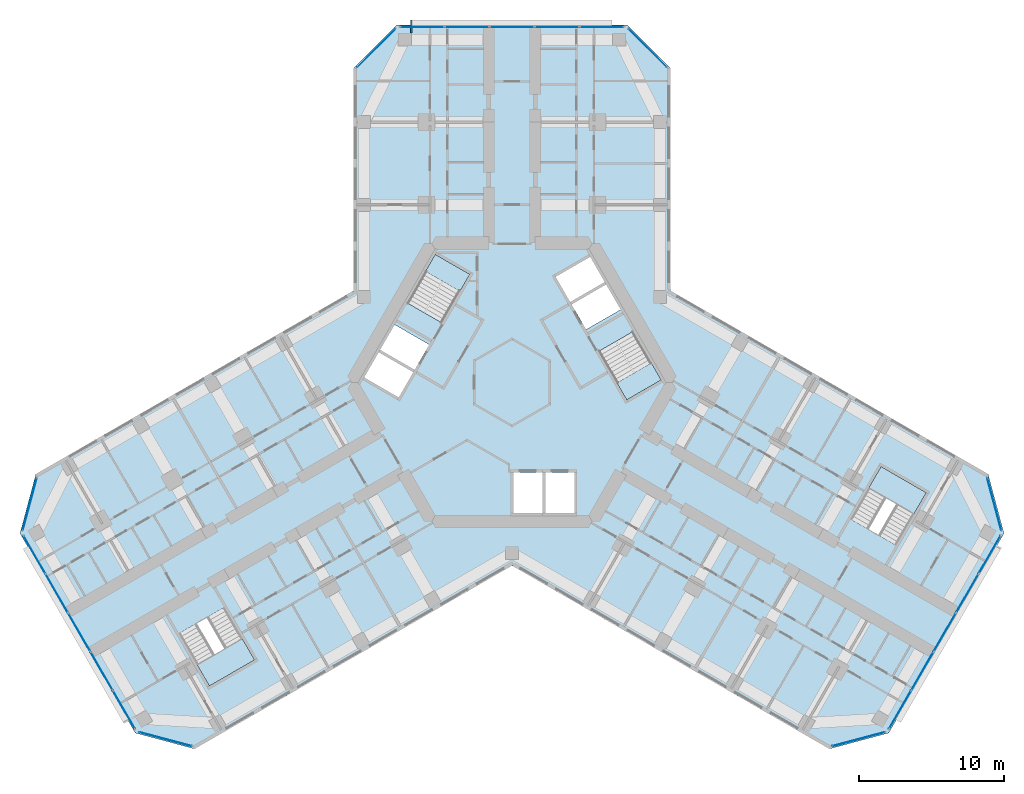
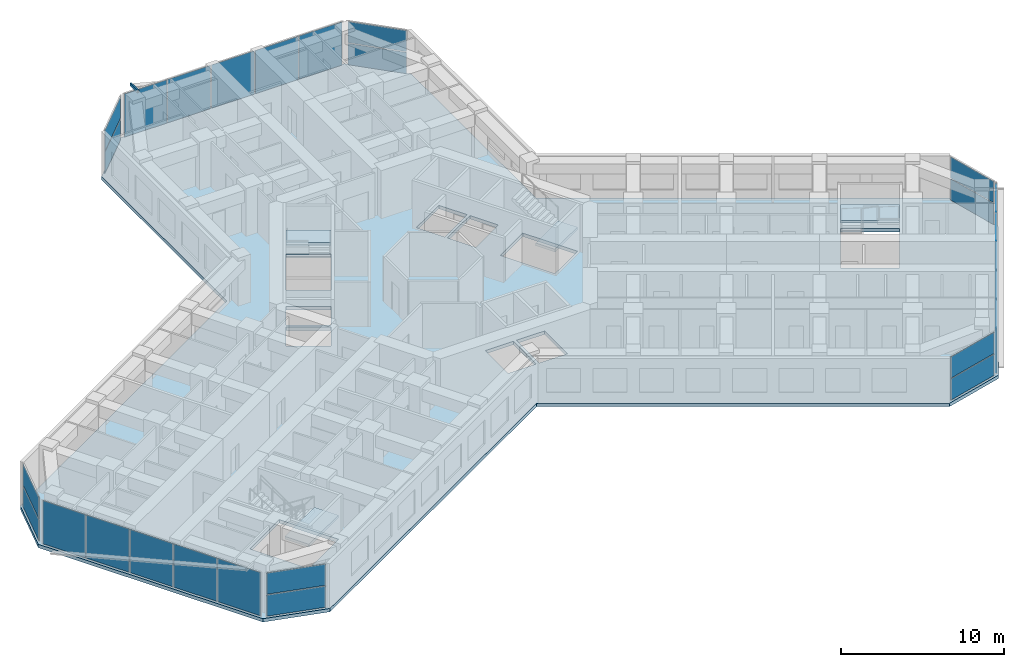
# One storey, part 9 of 20: 27 plates, 5 slabs, 1 member, 13 elements without a shape of their own.
"""IFC4 building model written with IfcOpenShell, lengths in metres."""

import ifcopenshell
import ifcopenshell.guid

model = None  # the IFC model being written
_history = None  # IfcOwnerHistory: only IFC2X3 demands one
_inside = {}  # id of a spatial element -> (the spatial element, [elements in it])
_under = {}  # id of a project, library or spatial element -> (it, [spatial elements below it])
_declared = {}  # id of a project -> (the project, [libraries it declares])
_typed = {}  # id of a type object -> (the type object, [elements of that type])
_made_of = {}  # id of a material, layer set ... -> (it, [elements and type objects made of it])


def new_model(schema):
    """Start an empty IFC model of exactly this schema.

    Asked for "IFC4X3", IfcOpenShell would pick the latest addendum, in which some entities
    have other attributes; the version numbers below select the first issue.
    IFC2X3 requires an IfcOwnerHistory on every rooted entity: one is made here for all.
    """
    global model, _history
    if schema == "IFC4X3":
        model = ifcopenshell.file(schema_version=(4, 3, 0, 0))
    else:
        model = ifcopenshell.file(schema=schema)
    _inside.clear()
    _under.clear()
    _declared.clear()
    _typed.clear()
    _made_of.clear()
    _history = None
    if model.schema == "IFC2X3":
        org = make("IfcOrganization", Name="unknown")
        user = make(
            "IfcPersonAndOrganization",
            ThePerson=make("IfcPerson", FamilyName="unknown"),
            TheOrganization=org,
        )
        app = make(
            "IfcApplication",
            ApplicationDeveloper=org,
            Version="unknown",
            ApplicationFullName="unknown",
            ApplicationIdentifier="unknown",
        )
        _history = make(
            "IfcOwnerHistory",
            OwningUser=user,
            OwningApplication=app,
            ChangeAction="ADDED",
            CreationDate=0,
        )
    return model


def make(cls, **values):
    """One entity of the class cls with the attributes given. An attribute that is None is left unset."""
    return model.create_entity(
        cls, **{name: value for name, value in values.items() if value is not None}
    )


def rooted(cls, **values):
    """An entity with a GlobalId (a new one), such as an element, a storey or a relation."""
    return make(cls, GlobalId=ifcopenshell.guid.new(), OwnerHistory=_history, **values)


def si_unit(unit_type, name, prefix=None):
    """IfcSIUnit, for example si_unit("LENGTHUNIT", "METRE", prefix="MILLI")."""
    return make("IfcSIUnit", UnitType=unit_type, Prefix=prefix, Name=name)


def assignment(units):
    """IfcUnitAssignment: the units of a project."""
    return None if units is None else make("IfcUnitAssignment", Units=units)


def point(xyz):
    """IfcCartesianPoint."""
    return None if xyz is None else make("IfcCartesianPoint", Coordinates=xyz)


def direction(xyz):
    """IfcDirection."""
    return None if xyz is None else make("IfcDirection", DirectionRatios=xyz)


def frame(location, z_axis=None, x_axis=None):
    """IfcAxis2Placement3D, a coordinate frame: its origin and axes. An axis left out is left unset."""
    return make(
        "IfcAxis2Placement3D",
        Location=point(location),
        Axis=direction(z_axis),
        RefDirection=direction(x_axis),
    )


def frame_2d(location, x_axis=None):
    """IfcAxis2Placement2D, a coordinate frame in the plane: its origin and x axis."""
    return make(
        "IfcAxis2Placement2D", Location=point(location), RefDirection=direction(x_axis)
    )


def origin():
    """The frame at (0, 0, 0) with its axes left unset."""
    return frame((0.0, 0.0, 0.0))


def origin_2d():
    """The frame at (0, 0) in the plane with its x axis left unset."""
    return frame_2d((0.0, 0.0))


def place(relative_to, where):
    """IfcLocalPlacement: puts the frame where relative to a parent placement (None: the world)."""
    return make(
        "IfcLocalPlacement", PlacementRelTo=relative_to, RelativePlacement=where
    )


def context(
    kind, dimensions, precision=None, world=None, true_north=None, identifier=None
):
    """IfcGeometricRepresentationContext, for example the 3D "Model" context."""
    return make(
        "IfcGeometricRepresentationContext",
        ContextIdentifier=identifier,
        ContextType=kind,
        CoordinateSpaceDimension=dimensions,
        Precision=precision,
        WorldCoordinateSystem=world,
        TrueNorth=true_north,
    )


def subcontext(parent, identifier, kind, view, scale=None):
    """IfcGeometricRepresentationSubContext, for example "Body" below "Model"."""
    return make(
        "IfcGeometricRepresentationSubContext",
        ContextIdentifier=identifier,
        ContextType=kind,
        ParentContext=parent,
        TargetScale=scale,
        TargetView=view,
    )


def project(units=None, contexts=None):
    """IfcProject with its units and contexts."""
    return rooted(
        "IfcProject",
        Name="project",
        RepresentationContexts=contexts,
        UnitsInContext=assignment(units),
    )


def spatial(cls, under=None, at=None, **own):
    """A site, building, storey or space (cls), placed at a placement, below another one or the project."""
    s = rooted(cls, ObjectPlacement=at, **own)
    if under is not None:
        _under.setdefault(under.id(), (under, []))[1].append(s)
    return s


def polyline(points):
    """IfcPolyline through the points."""
    return make("IfcPolyline", Points=[point(p) for p in points])


def profile(cls, at=None, kind="AREA", **sizes):
    """A parametric profile (cls). Its sizes go by their IFC names, for example OverallWidth=200.0."""
    return make(cls, ProfileType=kind, Position=at, **sizes)


def rectangle(**sizes):
    """IfcRectangleProfileDef."""
    return profile("IfcRectangleProfileDef", **sizes)


def hollow_rectangle(**sizes):
    """IfcRectangleHollowProfileDef."""
    return profile("IfcRectangleHollowProfileDef", **sizes)


def outline(outer, holes=None, kind="AREA"):
    """IfcArbitraryClosedProfileDef: a profile drawn as a closed curve; with holes, ...WithVoids."""
    if holes is None:
        return make("IfcArbitraryClosedProfileDef", ProfileType=kind, OuterCurve=outer)
    return make(
        "IfcArbitraryProfileDefWithVoids",
        ProfileType=kind,
        OuterCurve=outer,
        InnerCurves=holes,
    )


def extrude(swept, where, along, depth):
    """IfcExtrudedAreaSolid: the profile swept, set in the frame where, extruded along a direction by depth."""
    return make(
        "IfcExtrudedAreaSolid",
        SweptArea=swept,
        Position=where,
        ExtrudedDirection=direction(along),
        Depth=depth,
    )


def shape(context_of_items, identifier, shape_type, items):
    """IfcShapeRepresentation: the items that make up one representation, for example the "Body"."""
    return make(
        "IfcShapeRepresentation",
        ContextOfItems=context_of_items,
        RepresentationIdentifier=identifier,
        RepresentationType=shape_type,
        Items=items,
    )


def material(Name=None, Category=None):
    """IfcMaterial."""
    return make("IfcMaterial", Name=Name, Category=Category)


def layer(
    of_material, thickness, ventilated=None, Name=None, Category=None, Priority=None
):
    """IfcMaterialLayer: one layer of a wall or slab, of a material (None: an air gap)."""
    return make(
        "IfcMaterialLayer",
        Material=of_material,
        LayerThickness=thickness,
        IsVentilated=ventilated,
        Name=Name,
        Category=Category,
        Priority=Priority,
    )


def layer_set(layers, Name=None):
    """IfcMaterialLayerSet."""
    return make("IfcMaterialLayerSet", MaterialLayers=layers, LayerSetName=Name)


def material_profile(
    of_material, cross_section, Name=None, Category=None, Priority=None
):
    """IfcMaterialProfile: a cross section and its material."""
    return make(
        "IfcMaterialProfile",
        Name=Name,
        Material=of_material,
        Profile=cross_section,
        Priority=Priority,
        Category=Category,
    )


def profile_set(profiles, Name=None, composite=None):
    """IfcMaterialProfileSet."""
    return make(
        "IfcMaterialProfileSet",
        Name=Name,
        MaterialProfiles=profiles,
        CompositeProfile=composite,
    )


def made_of(thing, what):
    """Note that an element or type object is made of a material, layer set ...; save() writes the relation."""
    if what is not None:
        _made_of.setdefault(what.id(), (what, []))[1].append(thing)
    return thing


def type_object(cls, material=None, **own):
    """A type object (cls), such as IfcWallType, which elements share."""
    return made_of(rooted(cls, **own), material)


def element(
    cls,
    number,
    at=None,
    inside=None,
    cuts=None,
    type_object=None,
    material=None,
    context=None,
    identifier="Body",
    shape_type=None,
    held_by="IfcProductDefinitionShape",
    body=None,
    shapes=None,
    **own,
):
    """One element of the class cls, such as IfcWall. Its Tag is "e" and its number.

    at: its placement. inside: the storey or other place that contains it. cuts: it is an
    opening in that element (IfcRelVoidsElement). A single representation is given by context,
    identifier, shape_type and body (its items); several are given by shapes. held_by: the class
    of the entity that holds the representations. save() writes the other relations.
    """
    e = rooted(cls, Tag="e%d" % number, ObjectPlacement=at, **own)
    if body is not None:
        shapes = [shape(context, identifier, shape_type, body)]
    if shapes is not None:
        e.Representation = make(held_by, Representations=shapes)
    if inside is not None:
        _inside.setdefault(inside.id(), (inside, []))[1].append(e)
    if cuts is not None:
        rooted(
            "IfcRelVoidsElement", RelatingBuildingElement=cuts, RelatedOpeningElement=e
        )
    if type_object is not None:
        _typed.setdefault(type_object.id(), (type_object, []))[1].append(e)
    return made_of(e, material)


def aggregate(whole, parts):
    """IfcRelAggregates: a whole, such as a stair, and the parts it consists of."""
    return rooted("IfcRelAggregates", RelatingObject=whole, RelatedObjects=parts)


def save(model, path):
    """Write the relations noted so far, then the file.

    IfcRelAggregates (storeys below a building ...), IfcRelContainedInSpatialStructure (elements
    in a storey), IfcRelDefinesByType, IfcRelAssociatesMaterial and IfcRelDeclares: one each for
    every whole, place, type object, material and project.
    """
    for whole, parts in _under.values():
        aggregate(whole, parts)
    for where, things in _inside.values():
        rooted(
            "IfcRelContainedInSpatialStructure",
            RelatedElements=things,
            RelatingStructure=where,
        )
    for kind, things in _typed.values():
        rooted("IfcRelDefinesByType", RelatedObjects=things, RelatingType=kind)
    for what, things in _made_of.values():
        rooted("IfcRelAssociatesMaterial", RelatedObjects=things, RelatingMaterial=what)
    for by, libraries in _declared.values():
        rooted("IfcRelDeclares", RelatingContext=by, RelatedDefinitions=libraries)
    model.write(path)


model = new_model("IFC4")

# Units and contexts
model_context = context("Model", 3, precision=1e-05, world=origin(), true_north=direction((0.0, 1.0)))
body_context = subcontext(model_context, "Body", "Model", "MODEL_VIEW")
ifc_project = project(units=[si_unit("LENGTHUNIT", "METRE"), si_unit("AREAUNIT", "SQUARE_METRE"), si_unit("VOLUMEUNIT", "CUBIC_METRE"), si_unit("PLANEANGLEUNIT", "RADIAN"), si_unit("MASSUNIT", "GRAM", prefix="KILO")], contexts=[model_context])

# Site, building, storey
site_placement = place(None, origin())
site = spatial("IfcSite", under=ifc_project, at=site_placement, CompositionType="ELEMENT")
building_placement = place(site_placement, origin())
building = spatial("IfcBuilding", under=site, at=building_placement, Name="Kosmar Iwan School Tower", CompositionType="ELEMENT")
storey_placement = place(building_placement, frame((0.0, 0.0, 176.0)))
storey = spatial("IfcBuildingStorey", under=building, at=storey_placement, Name="L44", CompositionType="ELEMENT", Elevation=176.0)

# Member
ifc_material_1 = material(Name="Steel S355", Category="steel")
ifc_material_profile = material_profile(ifc_material_1, hollow_rectangle(XDim=0.10009765625, YDim=0.199951171875, WallThickness=0.008056640625, at=origin_2d()), Name="RHS 200x100x8")
ifc_profile_set = profile_set([ifc_material_profile], Name="Steel S355")
member_type = type_object("IfcMemberType", Name="Fin bracket RHS 200x100", PredefinedType="USERDEFINED", material=ifc_profile_set)
member_placement = place(storey_placement, frame((-6.949951171875, 24.10009765625, 3.47509765625), z_axis=(0.0, 1.0, 0.0), x_axis=(-1.0, 0.0, 0.0)))
element("IfcMember", 1, at=member_placement, inside=storey, type_object=member_type, Name="Fin bracket L45", ObjectType="FIN BRACKET", PredefinedType="USERDEFINED", context=body_context, shape_type="SweptSolid", body=[
    extrude(hollow_rectangle(XDim=0.10009765625, YDim=0.199951171875, WallThickness=0.008056640625, at=origin_2d()), origin(), (0.0, 0.0, 1.0), 0.89990234375),
])

# Curtain wall, plates
ifc_material_2 = material(Name="Dark glass in black aluminium frame", Category="aluminium")
curtain_wall_type_1 = type_object("IfcCurtainWallType", Name="Chamfer curtain wall dark glass", PredefinedType="USERDEFINED", material=ifc_material_2)
curtain_wall_1_placement = place(storey_placement, origin())
curtain_wall_1 = element("IfcCurtainWall", 2, at=curtain_wall_1_placement, inside=storey, type_object=curtain_wall_type_1, Name="Curtain wall L44-F02", ObjectType="FACETED CURTAIN WALL", PredefinedType="USERDEFINED")
ifc_material_3 = material(Name="Dark glass", Category="glass")
ifc_layer_1 = layer(ifc_material_3, 0.028076171875)
ifc_layer_set_1 = layer_set([ifc_layer_1], Name="Dark glass panel 28")
plate_type = type_object("IfcPlateType", Name="Dark glass panel 28", PredefinedType="CURTAIN_PANEL", material=ifc_layer_set_1)
plate_1_placement = place(storey_placement, frame((23.908203125, -24.61328125, 0.06005859375), z_axis=(0.0, 0.0, 1.0), x_axis=(0.965925875495, 0.258818861462, 0.0)))
plate_1 = element("IfcPlate", 3, at=plate_1_placement, type_object=plate_type, Name="CW2 panel 1.1", PredefinedType="CURTAIN_PANEL", context=body_context, shape_type="SweptSolid", body=[
    extrude(rectangle(XDim=3.718994140625, YDim=0.028076171875, at=origin_2d()), origin(), (0.0, 0.0, 1.0), 1.5849609375),
])
plate_2_placement = place(storey_placement, frame((23.908203125, -24.61328125, 1.705078125), z_axis=(0.0, 0.0, 1.0), x_axis=(0.965925875495, 0.258818861462, 0.0)))
plate_2 = element("IfcPlate", 4, at=plate_2_placement, type_object=plate_type, Name="CW2 panel 1.2", PredefinedType="CURTAIN_PANEL", context=body_context, shape_type="SweptSolid", body=[
    extrude(rectangle(XDim=3.718994140625, YDim=0.028076171875, at=origin_2d()), origin(), (0.0, 0.0, 1.0), 1.5849609375),
])
aggregate(curtain_wall_1, [plate_1, plate_2])

ifc_material_4 = material(Name="Dark glass in black aluminium frame", Category="aluminium")
curtain_wall_type_2 = type_object("IfcCurtainWallType", Name="Tower curtain wall dark glass", PredefinedType="USERDEFINED", material=ifc_material_4)
curtain_wall_2_placement = place(storey_placement, origin())
curtain_wall_2 = element("IfcCurtainWall", 5, at=curtain_wall_2_placement, inside=storey, type_object=curtain_wall_type_2, Name="Curtain wall L44-F03", ObjectType="UNITISED CURTAIN WALL", PredefinedType="USERDEFINED")
plate_3_placement = place(storey_placement, frame((26.764404296875, -22.592529296875, 0.06005859375), z_axis=(0.0, 0.0, 1.0), x_axis=(0.499999997325, 0.866025405329, 0.0)))
plate_3 = element("IfcPlate", 6, at=plate_3_placement, type_object=plate_type, Name="CW1 panel 1.1", PredefinedType="CURTAIN_PANEL", context=body_context, shape_type="SweptSolid", body=[
    extrude(rectangle(XDim=3.00927734375, YDim=0.028076171875, at=origin_2d()), origin(), (0.0, 0.0, 1.0), 3.22998046875),
])
plate_4_placement = place(storey_placement, frame((28.306640625, -19.921630859375, 0.06005859375), z_axis=(0.0, 0.0, 1.0), x_axis=(0.499999997325, 0.866025405329, 0.0)))
plate_4 = element("IfcPlate", 7, at=plate_4_placement, type_object=plate_type, Name="CW1 panel 2.1", PredefinedType="CURTAIN_PANEL", context=body_context, shape_type="SweptSolid", body=[
    extrude(rectangle(XDim=3.039306640625, YDim=0.028076171875, at=origin_2d()), origin(), (0.0, 0.0, 1.0), 3.22998046875),
])
plate_5_placement = place(storey_placement, frame((29.856201171875, -17.237548828125, 0.06005859375), z_axis=(0.0, 0.0, 1.0), x_axis=(0.499999997325, 0.866025405329, 0.0)))
plate_5 = element("IfcPlate", 8, at=plate_5_placement, type_object=plate_type, Name="CW1 panel 3.1", PredefinedType="CURTAIN_PANEL", context=body_context, shape_type="SweptSolid", body=[
    extrude(rectangle(XDim=3.039306640625, YDim=0.028076171875, at=origin_2d()), origin(), (0.0, 0.0, 1.0), 3.22998046875),
])
plate_6_placement = place(storey_placement, frame((31.40576171875, -14.553466796875, 0.06005859375), z_axis=(0.0, 0.0, 1.0), x_axis=(0.499999997325, 0.866025405329, 0.0)))
plate_6 = element("IfcPlate", 9, at=plate_6_placement, type_object=plate_type, Name="CW1 panel 4.1", PredefinedType="CURTAIN_PANEL", context=body_context, shape_type="SweptSolid", body=[
    extrude(rectangle(XDim=3.039306640625, YDim=0.028076171875, at=origin_2d()), origin(), (0.0, 0.0, 1.0), 3.22998046875),
])
plate_7_placement = place(storey_placement, frame((32.947998046875, -11.88232421875, 0.06005859375), z_axis=(0.0, 0.0, 1.0), x_axis=(0.499999997325, 0.866025405329, 0.0)))
plate_7 = element("IfcPlate", 10, at=plate_7_placement, type_object=plate_type, Name="CW1 panel 5.1", PredefinedType="CURTAIN_PANEL", context=body_context, shape_type="SweptSolid", body=[
    extrude(rectangle(XDim=3.00927734375, YDim=0.028076171875, at=origin_2d()), origin(), (0.0, 0.0, 1.0), 3.22998046875),
])
aggregate(curtain_wall_2, [plate_3, plate_4, plate_5, plate_6, plate_7])

curtain_wall_3_placement = place(storey_placement, origin())
curtain_wall_3 = element("IfcCurtainWall", 11, at=curtain_wall_3_placement, inside=storey, type_object=curtain_wall_type_1, Name="Curtain wall L44-F04", ObjectType="FACETED CURTAIN WALL", PredefinedType="USERDEFINED")
plate_8_placement = place(storey_placement, frame((33.269775390625, -8.3984375, 0.06005859375), z_axis=(0.0, 0.0, 1.0), x_axis=(-0.258818861462, 0.965925875495, 0.0)))
plate_8 = element("IfcPlate", 12, at=plate_8_placement, type_object=plate_type, Name="CW2 panel 1.1", PredefinedType="CURTAIN_PANEL", context=body_context, shape_type="SweptSolid", body=[
    extrude(rectangle(XDim=3.718994140625, YDim=0.028076171875, at=origin_2d()), origin(), (0.0, 0.0, 1.0), 1.5849609375),
])
plate_9_placement = place(storey_placement, frame((33.269775390625, -8.3984375, 1.705078125), z_axis=(0.0, 0.0, 1.0), x_axis=(-0.258818861462, 0.965925875495, 0.0)))
plate_9 = element("IfcPlate", 13, at=plate_9_placement, type_object=plate_type, Name="CW2 panel 1.2", PredefinedType="CURTAIN_PANEL", context=body_context, shape_type="SweptSolid", body=[
    extrude(rectangle(XDim=3.718994140625, YDim=0.028076171875, at=origin_2d()), origin(), (0.0, 0.0, 1.0), 1.5849609375),
])
aggregate(curtain_wall_3, [plate_8, plate_9])

curtain_wall_4_placement = place(storey_placement, origin())
curtain_wall_4 = element("IfcCurtainWall", 14, at=curtain_wall_4_placement, inside=storey, type_object=curtain_wall_type_1, Name="Curtain wall L44-F07", ObjectType="FACETED CURTAIN WALL", PredefinedType="USERDEFINED")
plate_10_placement = place(storey_placement, frame((9.361572265625, 23.0615234375, 0.06005859375), z_axis=(0.0, 0.0, 1.0), x_axis=(-0.707106781187, 0.707106781187, 0.0)))
plate_10 = element("IfcPlate", 15, at=plate_10_placement, type_object=plate_type, Name="CW2 panel 1.1", PredefinedType="CURTAIN_PANEL", context=body_context, shape_type="SweptSolid", body=[
    extrude(rectangle(XDim=3.718994140625, YDim=0.028076171875, at=origin_2d()), origin(), (0.0, 0.0, 1.0), 1.5849609375),
])
plate_11_placement = place(storey_placement, frame((9.361572265625, 23.0615234375, 1.705078125), z_axis=(0.0, 0.0, 1.0), x_axis=(-0.707106781187, 0.707106781187, 0.0)))
plate_11 = element("IfcPlate", 16, at=plate_11_placement, type_object=plate_type, Name="CW2 panel 1.2", PredefinedType="CURTAIN_PANEL", context=body_context, shape_type="SweptSolid", body=[
    extrude(rectangle(XDim=3.718994140625, YDim=0.028076171875, at=origin_2d()), origin(), (0.0, 0.0, 1.0), 1.5849609375),
])
aggregate(curtain_wall_4, [plate_10, plate_11])

curtain_wall_5_placement = place(storey_placement, origin())
curtain_wall_5 = element("IfcCurtainWall", 17, at=curtain_wall_5_placement, inside=storey, type_object=curtain_wall_type_2, Name="Curtain wall L44-F08", ObjectType="UNITISED CURTAIN WALL", PredefinedType="USERDEFINED")
plate_12_placement = place(storey_placement, frame((6.18359375, 24.52490234375, 0.06005859375), z_axis=(0.0, 0.0, 1.0), x_axis=(-1.0, 0.0, 0.0)))
plate_12 = element("IfcPlate", 18, at=plate_12_placement, type_object=plate_type, Name="CW1 panel 1.1", PredefinedType="CURTAIN_PANEL", context=body_context, shape_type="SweptSolid", body=[
    extrude(rectangle(XDim=3.00927734375, YDim=0.028076171875, at=origin_2d()), origin(), (0.0, 0.0, 1.0), 3.22998046875),
])
plate_13_placement = place(storey_placement, frame((3.099365234375, 24.52490234375, 0.06005859375), z_axis=(0.0, 0.0, 1.0), x_axis=(-1.0, 0.0, 0.0)))
plate_13 = element("IfcPlate", 19, at=plate_13_placement, type_object=plate_type, Name="CW1 panel 2.1", PredefinedType="CURTAIN_PANEL", context=body_context, shape_type="SweptSolid", body=[
    extrude(rectangle(XDim=3.039306640625, YDim=0.028076171875, at=origin_2d()), origin(), (0.0, 0.0, 1.0), 3.22998046875),
])
plate_14_placement = place(storey_placement, frame((0.0, 24.52490234375, 0.06005859375), z_axis=(0.0, 0.0, 1.0), x_axis=(-1.0, 0.0, 0.0)))
plate_14 = element("IfcPlate", 20, at=plate_14_placement, type_object=plate_type, Name="CW1 panel 3.1", PredefinedType="CURTAIN_PANEL", context=body_context, shape_type="SweptSolid", body=[
    extrude(rectangle(XDim=3.039306640625, YDim=0.028076171875, at=origin_2d()), origin(), (0.0, 0.0, 1.0), 3.22998046875),
])
plate_15_placement = place(storey_placement, frame((-3.099365234375, 24.52490234375, 0.06005859375), z_axis=(0.0, 0.0, 1.0), x_axis=(-1.0, 0.0, 0.0)))
plate_15 = element("IfcPlate", 21, at=plate_15_placement, type_object=plate_type, Name="CW1 panel 4.1", PredefinedType="CURTAIN_PANEL", context=body_context, shape_type="SweptSolid", body=[
    extrude(rectangle(XDim=3.039306640625, YDim=0.028076171875, at=origin_2d()), origin(), (0.0, 0.0, 1.0), 3.22998046875),
])
plate_16_placement = place(storey_placement, frame((-6.18359375, 24.52490234375, 0.06005859375), z_axis=(0.0, 0.0, 1.0), x_axis=(-1.0, 0.0, 0.0)))
plate_16 = element("IfcPlate", 22, at=plate_16_placement, type_object=plate_type, Name="CW1 panel 5.1", PredefinedType="CURTAIN_PANEL", context=body_context, shape_type="SweptSolid", body=[
    extrude(rectangle(XDim=3.00927734375, YDim=0.028076171875, at=origin_2d()), origin(), (0.0, 0.0, 1.0), 3.22998046875),
])
aggregate(curtain_wall_5, [plate_12, plate_13, plate_14, plate_15, plate_16])

curtain_wall_6_placement = place(storey_placement, origin())
curtain_wall_6 = element("IfcCurtainWall", 23, at=curtain_wall_6_placement, inside=storey, type_object=curtain_wall_type_1, Name="Curtain wall L44-F09", ObjectType="FACETED CURTAIN WALL", PredefinedType="USERDEFINED")
plate_17_placement = place(storey_placement, frame((-9.361572265625, 23.0615234375, 0.06005859375), z_axis=(0.0, 0.0, 1.0), x_axis=(-0.707106781187, -0.707106781187, 0.0)))
plate_17 = element("IfcPlate", 24, at=plate_17_placement, type_object=plate_type, Name="CW2 panel 1.1", PredefinedType="CURTAIN_PANEL", context=body_context, shape_type="SweptSolid", body=[
    extrude(rectangle(XDim=3.718994140625, YDim=0.028076171875, at=origin_2d()), origin(), (0.0, 0.0, 1.0), 1.5849609375),
])
plate_18_placement = place(storey_placement, frame((-9.361572265625, 23.0615234375, 1.705078125), z_axis=(0.0, 0.0, 1.0), x_axis=(-0.707106781187, -0.707106781187, 0.0)))
plate_18 = element("IfcPlate", 25, at=plate_18_placement, type_object=plate_type, Name="CW2 panel 1.2", PredefinedType="CURTAIN_PANEL", context=body_context, shape_type="SweptSolid", body=[
    extrude(rectangle(XDim=3.718994140625, YDim=0.028076171875, at=origin_2d()), origin(), (0.0, 0.0, 1.0), 1.5849609375),
])
aggregate(curtain_wall_6, [plate_17, plate_18])

curtain_wall_7_placement = place(storey_placement, origin())
curtain_wall_7 = element("IfcCurtainWall", 26, at=curtain_wall_7_placement, inside=storey, type_object=curtain_wall_type_1, Name="Curtain wall L44-F12", ObjectType="FACETED CURTAIN WALL", PredefinedType="USERDEFINED")
plate_19_placement = place(storey_placement, frame((-33.269775390625, -8.3984375, 0.06005859375), z_axis=(0.0, 0.0, 1.0), x_axis=(-0.258818861462, -0.965925875495, 0.0)))
plate_19 = element("IfcPlate", 27, at=plate_19_placement, type_object=plate_type, Name="CW2 panel 1.1", PredefinedType="CURTAIN_PANEL", context=body_context, shape_type="SweptSolid", body=[
    extrude(rectangle(XDim=3.718994140625, YDim=0.028076171875, at=origin_2d()), origin(), (0.0, 0.0, 1.0), 1.5849609375),
])
plate_20_placement = place(storey_placement, frame((-33.269775390625, -8.3984375, 1.705078125), z_axis=(0.0, 0.0, 1.0), x_axis=(-0.258818861462, -0.965925875495, 0.0)))
plate_20 = element("IfcPlate", 28, at=plate_20_placement, type_object=plate_type, Name="CW2 panel 1.2", PredefinedType="CURTAIN_PANEL", context=body_context, shape_type="SweptSolid", body=[
    extrude(rectangle(XDim=3.718994140625, YDim=0.028076171875, at=origin_2d()), origin(), (0.0, 0.0, 1.0), 1.5849609375),
])
aggregate(curtain_wall_7, [plate_19, plate_20])

curtain_wall_8_placement = place(storey_placement, origin())
curtain_wall_8 = element("IfcCurtainWall", 29, at=curtain_wall_8_placement, inside=storey, type_object=curtain_wall_type_2, Name="Curtain wall L44-F13", ObjectType="UNITISED CURTAIN WALL", PredefinedType="USERDEFINED")
plate_21_placement = place(storey_placement, frame((-32.947998046875, -11.88232421875, 0.06005859375), z_axis=(0.0, 0.0, 1.0), x_axis=(0.499999997325, -0.866025405329, 0.0)))
plate_21 = element("IfcPlate", 30, at=plate_21_placement, type_object=plate_type, Name="CW1 panel 1.1", PredefinedType="CURTAIN_PANEL", context=body_context, shape_type="SweptSolid", body=[
    extrude(rectangle(XDim=3.00927734375, YDim=0.028076171875, at=origin_2d()), origin(), (0.0, 0.0, 1.0), 3.22998046875),
])
plate_22_placement = place(storey_placement, frame((-31.40576171875, -14.553466796875, 0.06005859375), z_axis=(0.0, 0.0, 1.0), x_axis=(0.499999997325, -0.866025405329, 0.0)))
plate_22 = element("IfcPlate", 31, at=plate_22_placement, type_object=plate_type, Name="CW1 panel 2.1", PredefinedType="CURTAIN_PANEL", context=body_context, shape_type="SweptSolid", body=[
    extrude(rectangle(XDim=3.039306640625, YDim=0.028076171875, at=origin_2d()), origin(), (0.0, 0.0, 1.0), 3.22998046875),
])
plate_23_placement = place(storey_placement, frame((-29.856201171875, -17.237548828125, 0.06005859375), z_axis=(0.0, 0.0, 1.0), x_axis=(0.499999997325, -0.866025405329, 0.0)))
plate_23 = element("IfcPlate", 32, at=plate_23_placement, type_object=plate_type, Name="CW1 panel 3.1", PredefinedType="CURTAIN_PANEL", context=body_context, shape_type="SweptSolid", body=[
    extrude(rectangle(XDim=3.039306640625, YDim=0.028076171875, at=origin_2d()), origin(), (0.0, 0.0, 1.0), 3.22998046875),
])
plate_24_placement = place(storey_placement, frame((-28.306640625, -19.921630859375, 0.06005859375), z_axis=(0.0, 0.0, 1.0), x_axis=(0.499999997325, -0.866025405329, 0.0)))
plate_24 = element("IfcPlate", 33, at=plate_24_placement, type_object=plate_type, Name="CW1 panel 4.1", PredefinedType="CURTAIN_PANEL", context=body_context, shape_type="SweptSolid", body=[
    extrude(rectangle(XDim=3.039306640625, YDim=0.028076171875, at=origin_2d()), origin(), (0.0, 0.0, 1.0), 3.22998046875),
])
plate_25_placement = place(storey_placement, frame((-26.764404296875, -22.592529296875, 0.06005859375), z_axis=(0.0, 0.0, 1.0), x_axis=(0.499999997325, -0.866025405329, 0.0)))
plate_25 = element("IfcPlate", 34, at=plate_25_placement, type_object=plate_type, Name="CW1 panel 5.1", PredefinedType="CURTAIN_PANEL", context=body_context, shape_type="SweptSolid", body=[
    extrude(rectangle(XDim=3.00927734375, YDim=0.028076171875, at=origin_2d()), origin(), (0.0, 0.0, 1.0), 3.22998046875),
])
aggregate(curtain_wall_8, [plate_21, plate_22, plate_23, plate_24, plate_25])

curtain_wall_9_placement = place(storey_placement, origin())
curtain_wall_9 = element("IfcCurtainWall", 35, at=curtain_wall_9_placement, inside=storey, type_object=curtain_wall_type_1, Name="Curtain wall L44-F14", ObjectType="FACETED CURTAIN WALL", PredefinedType="USERDEFINED")
plate_26_placement = place(storey_placement, frame((-23.908203125, -24.61328125, 0.06005859375), z_axis=(0.0, 0.0, 1.0), x_axis=(0.965925875495, -0.258818861462, 0.0)))
plate_26 = element("IfcPlate", 36, at=plate_26_placement, type_object=plate_type, Name="CW2 panel 1.1", PredefinedType="CURTAIN_PANEL", context=body_context, shape_type="SweptSolid", body=[
    extrude(rectangle(XDim=3.718994140625, YDim=0.028076171875, at=origin_2d()), origin(), (0.0, 0.0, 1.0), 1.5849609375),
])
plate_27_placement = place(storey_placement, frame((-23.908203125, -24.61328125, 1.705078125), z_axis=(0.0, 0.0, 1.0), x_axis=(0.965925875495, -0.258818861462, 0.0)))
plate_27 = element("IfcPlate", 37, at=plate_27_placement, type_object=plate_type, Name="CW2 panel 1.2", PredefinedType="CURTAIN_PANEL", context=body_context, shape_type="SweptSolid", body=[
    extrude(rectangle(XDim=3.718994140625, YDim=0.028076171875, at=origin_2d()), origin(), (0.0, 0.0, 1.0), 1.5849609375),
])
aggregate(curtain_wall_9, [plate_26, plate_27])

# Stair, slab
ifc_material_5 = material(Name="Concrete C35/45", Category="concrete")
stair_type_1 = type_object("IfcStairType", Name="Escape stair 3600", PredefinedType="HALF_TURN_STAIR", material=ifc_material_5)
stair_1_placement = place(storey_placement, origin())
stair_1 = element("IfcStair", 38, at=stair_1_placement, inside=storey, type_object=stair_type_1, Name="Stair WS2 L44", PredefinedType="HALF_TURN_STAIR")
ifc_material_6 = material(Name="Concrete C35/45", Category="concrete")
ifc_layer_2 = layer(ifc_material_6, 0.199951171875)
ifc_layer_set_2 = layer_set([ifc_layer_2], Name="Escape stair landing 200")
slab_type_1 = type_object("IfcSlabType", Name="Escape stair landing 200", PredefinedType="LANDING", material=ifc_layer_set_2)
slab_1_placement = place(storey_placement, frame((0.0, 0.0, 1.60009765625)))
slab_1 = element("IfcSlab", 39, at=slab_1_placement, type_object=slab_type_1, Name="WS2 landing 1", PredefinedType="LANDING", context=body_context, shape_type="SweptSolid", body=[
    extrude(outline(polyline([(-18.607421875, -17.671142578125), (-21.72509765625, -19.47119140625), (-20.875, -20.943359375), (-17.75732421875, -19.143310546875), (-18.607421875, -17.671142578125)])), origin(), (0.0, 0.0, 1.0), 0.199951171875),
])
aggregate(stair_1, [slab_1])

stair_2_placement = place(storey_placement, origin())
stair_2 = element("IfcStair", 40, at=stair_2_placement, inside=storey, type_object=stair_type_1, Name="Stair WS3 L44", PredefinedType="HALF_TURN_STAIR")
slab_2_placement = place(storey_placement, frame((0.0, 0.0, 1.60009765625)))
slab_2 = element("IfcSlab", 41, at=slab_2_placement, type_object=slab_type_1, Name="WS3 landing 1", PredefinedType="LANDING", context=body_context, shape_type="SweptSolid", body=[
    extrude(outline(polyline([(24.607421875, -7.27880859375), (27.72509765625, -9.078857421875), (28.574951171875, -7.606689453125), (25.457275390625, -5.806640625), (24.607421875, -7.27880859375)])), origin(), (0.0, 0.0, 1.0), 0.199951171875),
])
aggregate(stair_2, [slab_2])

# Slab
ifc_material_7 = material(Name="Concrete C35/45", Category="concrete")
ifc_layer_3 = layer(ifc_material_7, 0.25)
ifc_layer_set_3 = layer_set([ifc_layer_3], Name="Floor slab 250")
slab_type_2 = type_object("IfcSlabType", Name="Floor slab 250", PredefinedType="FLOOR", material=ifc_layer_set_3)
slab_3_placement = place(storey_placement, frame((0.0, 0.0, -0.25)))
element("IfcSlab", 42, at=slab_3_placement, inside=storey, type_object=slab_type_2, Name="L44 floor slab", PredefinedType="FLOOR", context=body_context, shape_type="SweptSolid", body=[
    extrude(outline(polyline([(-21.891357421875, -25.282958984375), (0.0, -12.64404296875), (21.891357421875, -25.282958984375), (25.989501953125, -24.184814453125), (33.939453125, -10.4150390625), (32.84130859375, -6.317138671875), (10.949951171875, 6.322021484375), (10.949951171875, 21.64990234375), (7.949951171875, 24.64990234375), (-7.949951171875, 24.64990234375), (-10.949951171875, 21.64990234375), (-10.949951171875, 6.322021484375), (-32.84130859375, -6.317138671875), (-33.939453125, -10.4150390625), (-25.989501953125, -24.184814453125), (-21.891357421875, -25.282958984375)]), holes=[polyline([(7.91259765625, -1.205078125), (10.294189453125, 0.169921875), (8.3642578125, 3.5126953125), (5.982666015625, 2.1376953125), (7.91259765625, -1.205078125)]), polyline([(-2.91259765625, 7.455078125), (-5.294189453125, 8.830078125), (-7.22412109375, 5.4873046875), (-4.8427734375, 4.1123046875), (-2.91259765625, 7.455078125)]), polyline([(-5.712646484375, 2.60546875), (-8.09423828125, 3.98046875), (-9.09423828125, 2.248291015625), (-6.712646484375, 0.873291015625), (-5.712646484375, 2.60546875)]), polyline([(-6.812744140625, 0.7001953125), (-9.1943359375, 2.0751953125), (-10.1943359375, 0.343017578125), (-7.812744140625, -1.031982421875), (-6.812744140625, 0.7001953125)]), polyline([(5.112548828125, 3.64453125), (7.494140625, 5.01953125), (6.494140625, 6.751708984375), (4.112548828125, 5.376708984375), (5.112548828125, 3.64453125)]), polyline([(4.0126953125, 5.5498046875), (6.394287109375, 6.9248046875), (5.394287109375, 8.656982421875), (3.0126953125, 7.281982421875), (4.0126953125, 5.5498046875)]), polyline([(0.10009765625, -6.199951171875), (0.10009765625, -9.0), (2.10009765625, -9.0), (2.10009765625, -6.199951171875), (0.10009765625, -6.199951171875)]), polyline([(2.300048828125, -6.199951171875), (2.300048828125, -9.0), (4.300048828125, -9.0), (4.300048828125, -6.199951171875), (2.300048828125, -6.199951171875)]), polyline([(-19.847412109375, -15.5234375), (-22.965087890625, -17.323486328125), (-20.875, -20.943359375), (-17.75732421875, -19.143310546875), (-19.847412109375, -15.5234375)]), polyline([(23.367431640625, -9.426513671875), (26.485107421875, -11.2265625), (28.574951171875, -7.606689453125), (25.457275390625, -5.806640625), (23.367431640625, -9.426513671875)])]), origin(), (0.0, 0.0, 1.0), 0.25),
])

# Stair, slab
ifc_material_8 = material(Name="Concrete C35/45", Category="concrete")
stair_type_2 = type_object("IfcStairType", Name="Core stair 2750", PredefinedType="HALF_TURN_STAIR", material=ifc_material_8)
stair_3_placement = place(storey_placement, origin())
stair_3 = element("IfcStair", 43, at=stair_3_placement, inside=storey, type_object=stair_type_2, Name="Stair ST2 L44", PredefinedType="HALF_TURN_STAIR")
ifc_material_9 = material(Name="Concrete C35/45", Category="concrete")
ifc_layer_4 = layer(ifc_material_9, 0.199951171875)
ifc_layer_set_4 = layer_set([ifc_layer_4], Name="Stair landing 200")
slab_type_3 = type_object("IfcSlabType", Name="Stair landing 200", PredefinedType="LANDING", material=ifc_layer_set_4)
slab_4_placement = place(storey_placement, frame((0.0, 0.0, 1.60009765625)))
slab_4 = element("IfcSlab", 44, at=slab_4_placement, type_object=slab_type_3, Name="ST2 landing 1", PredefinedType="LANDING", context=body_context, shape_type="SweptSolid", body=[
    extrude(outline(polyline([(-2.91259765625, 7.455078125), (-5.294189453125, 8.830078125), (-5.97412109375, 7.65234375), (-3.5927734375, 6.27734375), (-2.91259765625, 7.455078125)])), origin(), (0.0, 0.0, 1.0), 0.199951171875),
])
aggregate(stair_3, [slab_4])

stair_4_placement = place(storey_placement, origin())
stair_4 = element("IfcStair", 45, at=stair_4_placement, inside=storey, type_object=stair_type_2, Name="Stair ST1 L44", PredefinedType="HALF_TURN_STAIR")
slab_5_placement = place(storey_placement, frame((0.0, 0.0, 1.60009765625)))
slab_5 = element("IfcSlab", 46, at=slab_5_placement, type_object=slab_type_3, Name="ST1 landing 1", PredefinedType="LANDING", context=body_context, shape_type="SweptSolid", body=[
    extrude(outline(polyline([(7.91259765625, -1.205078125), (10.294189453125, 0.169921875), (9.6142578125, 1.34765625), (7.232666015625, -0.02734375), (7.91259765625, -1.205078125)])), origin(), (0.0, 0.0, 1.0), 0.199951171875),
])
aggregate(stair_4, [slab_5])

save(model, "model.ifc")
